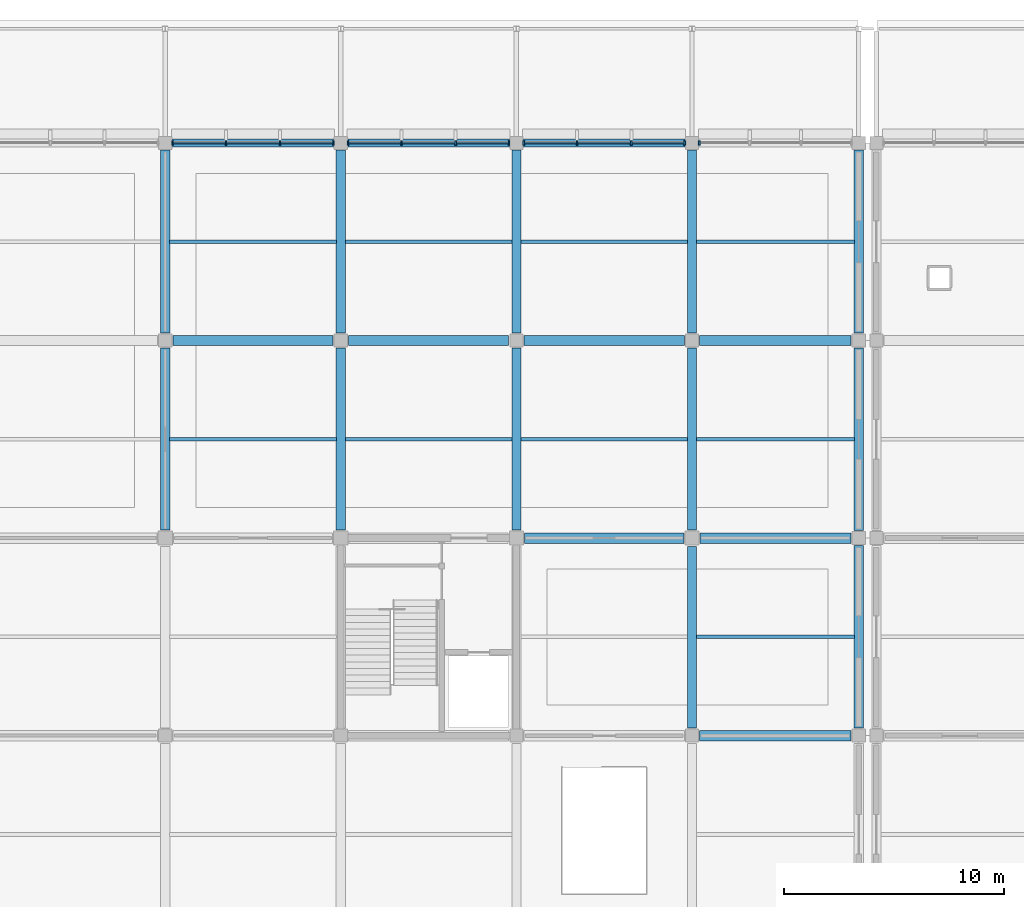
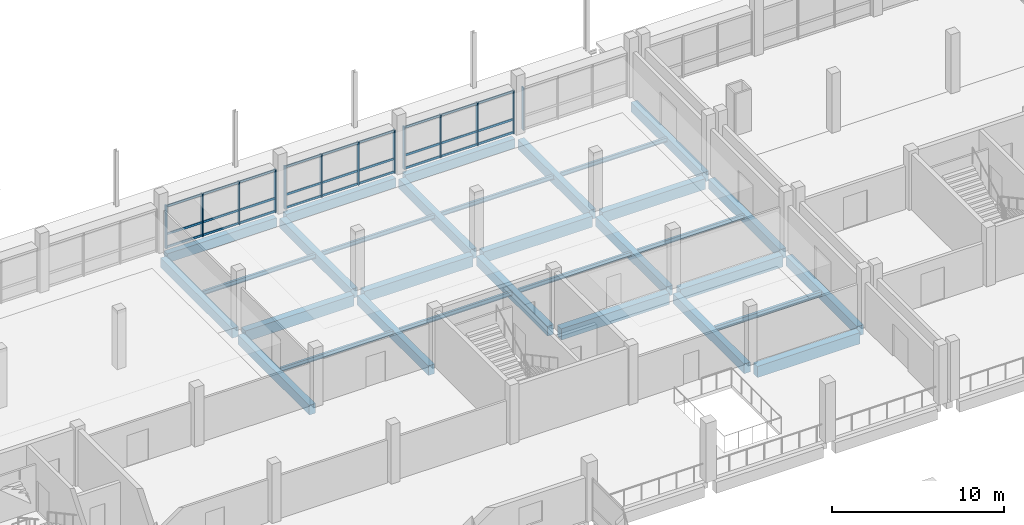
# One storey, part 22 of 57: 40 members, 31 beams, 4 elements without a shape of their own.
"""IFC4 building model written with IfcOpenShell, lengths in metres."""

from ifc_helpers import new_model, si_unit, direction, frame, origin, origin_2d, place, context, subcontext, project, spatial, rectangle, i_section, extrude, material, material_profile, profile_set, type_object, element, aggregate, save


model = new_model("IFC4")

# Units and contexts
model_context = context("Model", 3, precision=1e-05, world=origin(), true_north=direction((0.0, 1.0)))
body_context = subcontext(model_context, "Body", "Model", "MODEL_VIEW")
ifc_project = project(units=[si_unit("LENGTHUNIT", "METRE"), si_unit("AREAUNIT", "SQUARE_METRE"), si_unit("VOLUMEUNIT", "CUBIC_METRE"), si_unit("PLANEANGLEUNIT", "RADIAN"), si_unit("MASSUNIT", "GRAM", prefix="KILO"), si_unit("THERMODYNAMICTEMPERATUREUNIT", "KELVIN"), si_unit("POWERUNIT", "WATT")], contexts=[model_context])

# Site, building, storey
site_placement = place(None, origin())
site = spatial("IfcSite", under=ifc_project, at=site_placement, CompositionType="ELEMENT")
building_placement = place(site_placement, origin())
building = spatial("IfcBuilding", under=site, at=building_placement, Name="Kronsvod Quay Wholesale Market", CompositionType="ELEMENT")
storey_placement = place(building_placement, frame((0.0, 0.0, 4.800048828125)))
storey = spatial("IfcBuildingStorey", under=building, at=storey_placement, Name="L01", CompositionType="ELEMENT", Elevation=4.800048828125)

# Beams
ifc_material_1 = material(Name="Precast concrete C40/50", Category="concrete")
ifc_material_profile_1 = material_profile(ifc_material_1, rectangle(XDim=0.419921875, YDim=0.679931640625, at=origin_2d()), Name="PB-05")
ifc_profile_set_1 = profile_set([ifc_material_profile_1], Name="Precast concrete C40/50")
beam_type_1 = type_object("IfcBeamType", Name="Beam_PCB420x680", PredefinedType="BEAM", material=ifc_profile_set_1)
beam_1_placement = place(storey_placement, frame((96.0, 108.375, -0.64013671875), z_axis=(0.0, 1.0, 0.0), x_axis=(-1.0, 0.0, 0.0)))
element("IfcBeam", 1, at=beam_1_placement, inside=storey, type_object=beam_type_1, Name="BMY-L01-960-1080", PredefinedType="BEAM", context=body_context, shape_type="SweptSolid", body=[
    extrude(rectangle(XDim=0.419921875, YDim=0.679931640625, at=origin_2d()), origin(), (0.0, 0.0, 1.0), 8.27490234375),
])
beam_2_placement = place(storey_placement, frame((96.0, 117.35009765625, -0.64013671875), z_axis=(0.0, 1.0, 0.0), x_axis=(-1.0, 0.0, 0.0)))
element("IfcBeam", 2, at=beam_2_placement, inside=storey, type_object=beam_type_1, Name="BMY-L01-960-1170", PredefinedType="BEAM", context=body_context, shape_type="SweptSolid", body=[
    extrude(rectangle(XDim=0.419921875, YDim=0.679931640625, at=origin_2d()), origin(), (0.0, 0.0, 1.0), 8.324951171875),
])
beam_3_placement = place(storey_placement, frame((104.0, 108.375, -0.64013671875), z_axis=(0.0, 1.0, 0.0), x_axis=(-1.0, 0.0, 0.0)))
element("IfcBeam", 3, at=beam_3_placement, inside=storey, type_object=beam_type_1, Name="BMY-L01-1040-1080", PredefinedType="BEAM", context=body_context, shape_type="SweptSolid", body=[
    extrude(rectangle(XDim=0.419921875, YDim=0.679931640625, at=origin_2d()), origin(), (0.0, 0.0, 1.0), 8.27490234375),
])
beam_4_placement = place(storey_placement, frame((104.0, 117.35009765625, -0.64013671875), z_axis=(0.0, 1.0, 0.0), x_axis=(-1.0, 0.0, 0.0)))
element("IfcBeam", 4, at=beam_4_placement, inside=storey, type_object=beam_type_1, Name="BMY-L01-1040-1170", PredefinedType="BEAM", context=body_context, shape_type="SweptSolid", body=[
    extrude(rectangle(XDim=0.419921875, YDim=0.679931640625, at=origin_2d()), origin(), (0.0, 0.0, 1.0), 8.324951171875),
])
beam_5_placement = place(storey_placement, frame((112.0, 108.375, -0.64013671875), z_axis=(0.0, 1.0, 0.0), x_axis=(-1.0, 0.0, 0.0)))
element("IfcBeam", 5, at=beam_5_placement, inside=storey, type_object=beam_type_1, Name="BMY-L01-1120-1080", PredefinedType="BEAM", context=body_context, shape_type="SweptSolid", body=[
    extrude(rectangle(XDim=0.419921875, YDim=0.679931640625, at=origin_2d()), origin(), (0.0, 0.0, 1.0), 8.27490234375),
])
beam_6_placement = place(storey_placement, frame((112.0, 117.35009765625, -0.64013671875), z_axis=(0.0, 1.0, 0.0), x_axis=(-1.0, 0.0, 0.0)))
element("IfcBeam", 6, at=beam_6_placement, inside=storey, type_object=beam_type_1, Name="BMY-L01-1120-1170", PredefinedType="BEAM", context=body_context, shape_type="SweptSolid", body=[
    extrude(rectangle(XDim=0.419921875, YDim=0.679931640625, at=origin_2d()), origin(), (0.0, 0.0, 1.0), 8.324951171875),
])
for number, where, z_axis, x_axis, name in (
    (7, (120.0, 99.35009765625, -0.64013671875), (0.0, 1.0, 0.0), (-1.0, 0.0, 0.0), "BMY-L01-1200-990"),
    (8, (120.0, 108.375, -0.64013671875), (0.0, 1.0, 0.0), (-1.0, 0.0, 0.0), "BMY-L01-1200-1080"),
):
    element("IfcBeam", number, at=place(storey_placement, frame(where, z_axis=z_axis, x_axis=x_axis)), inside=storey, type_object=beam_type_1, Name=name, PredefinedType="BEAM", context=body_context, shape_type="SweptSolid", body=[
        extrude(rectangle(XDim=0.419921875, YDim=0.679931640625, at=origin_2d()), origin(), (0.0, 0.0, 1.0), 8.27490234375),
    ])
beam_7_placement = place(storey_placement, frame((120.0, 117.35009765625, -0.64013671875), z_axis=(0.0, 1.0, 0.0), x_axis=(-1.0, 0.0, 0.0)))
element("IfcBeam", 9, at=beam_7_placement, inside=storey, type_object=beam_type_1, Name="BMY-L01-1200-1170", PredefinedType="BEAM", context=body_context, shape_type="SweptSolid", body=[
    extrude(rectangle(XDim=0.419921875, YDim=0.679931640625, at=origin_2d()), origin(), (0.0, 0.0, 1.0), 8.324951171875),
])
for number, where, z_axis, x_axis, name in (
    (10, (127.60009765625, 99.35009765625, -0.64013671875), (0.0, 1.0, 0.0), (-1.0, 0.0, 0.0), "BMY-L01-1276-990"),
    (11, (127.60009765625, 108.35009765625, -0.64013671875), (0.0, 1.0, 0.0), (-1.0, 0.0, 0.0), "BMY-L01-1276-1080"),
):
    element("IfcBeam", number, at=place(storey_placement, frame(where, z_axis=z_axis, x_axis=x_axis)), inside=storey, type_object=beam_type_1, Name=name, PredefinedType="BEAM", context=body_context, shape_type="SweptSolid", body=[
        extrude(rectangle(XDim=0.419921875, YDim=0.679931640625, at=origin_2d()), origin(), (0.0, 0.0, 1.0), 8.2998046875),
    ])
beam_8_placement = place(storey_placement, frame((127.60009765625, 117.35009765625, -0.64013671875), z_axis=(0.0, 1.0, 0.0), x_axis=(-1.0, 0.0, 0.0)))
element("IfcBeam", 12, at=beam_8_placement, inside=storey, type_object=beam_type_1, Name="BMY-L01-1276-1170", PredefinedType="BEAM", context=body_context, shape_type="SweptSolid", body=[
    extrude(rectangle(XDim=0.419921875, YDim=0.679931640625, at=origin_2d()), origin(), (0.0, 0.0, 1.0), 8.324951171875),
])
ifc_material_2 = material(Name="Precast concrete C40/50", Category="concrete")
ifc_material_profile_2 = material_profile(ifc_material_2, rectangle(XDim=0.449951171875, YDim=0.75, at=origin_2d()), Name="PCB450x750")
ifc_profile_set_2 = profile_set([ifc_material_profile_2], Name="Precast concrete C40/50")
beam_type_2 = type_object("IfcBeamType", Name="Beam_PCB450x750", PredefinedType="BEAM", material=ifc_profile_set_2)
beam_9_placement = place(storey_placement, frame((120.35009765625, 117.0, -0.675048828125), z_axis=(1.0, 0.0, 0.0), x_axis=(0.0, 1.0, 0.0)))
element("IfcBeam", 13, at=beam_9_placement, inside=storey, type_object=beam_type_2, Name="BMX-L01-1200-1170", PredefinedType="BEAM", context=body_context, shape_type="SweptSolid", body=[
    extrude(rectangle(XDim=0.449951171875, YDim=0.75, at=origin_2d()), origin(), (0.0, 0.0, 1.0), 6.89990234375),
])
ifc_material_3 = material(Name="Precast concrete C40/50", Category="concrete")
ifc_material_profile_3 = material_profile(ifc_material_3, rectangle(XDim=0.4599609375, YDim=0.780029296875, at=origin_2d()), Name="PB-03")
ifc_profile_set_3 = profile_set([ifc_material_profile_3], Name="Precast concrete C40/50")
beam_type_3 = type_object("IfcBeamType", Name="Beam_PCB460x780", PredefinedType="BEAM", material=ifc_profile_set_3)
for number, where, z_axis, x_axis, name in (
    (14, (96.35009765625, 117.0, -0.68994140625), (1.0, 0.0, 0.0), (0.0, 1.0, 0.0), "BMX-L01-960-1170"),
    (15, (104.35009765625, 117.0, -0.68994140625), (1.0, 0.0, 0.0), (0.0, 1.0, 0.0), "BMX-L01-1040-1170"),
    (16, (112.35009765625, 117.0, -0.68994140625), (1.0, 0.0, 0.0), (0.0, 1.0, 0.0), "BMX-L01-1120-1170"),
):
    element("IfcBeam", number, at=place(storey_placement, frame(where, z_axis=z_axis, x_axis=x_axis)), inside=storey, type_object=beam_type_3, Name=name, PredefinedType="BEAM", context=body_context, shape_type="SweptSolid", body=[
        extrude(rectangle(XDim=0.4599609375, YDim=0.780029296875, at=origin_2d()), origin(), (0.0, 0.0, 1.0), 7.2998046875),
    ])
ifc_material_4 = material(Name="Precast concrete C40/50", Category="concrete")
ifc_material_profile_4 = material_profile(ifc_material_4, rectangle(XDim=0.47998046875, YDim=0.800048828125, at=origin_2d()), Name="PB-04")
ifc_profile_set_4 = profile_set([ifc_material_profile_4], Name="Precast concrete C40/50")
beam_type_4 = type_object("IfcBeamType", Name="Beam_PCB480x800", PredefinedType="BEAM", material=ifc_profile_set_4)
beam_10_placement = place(storey_placement, frame((120.35009765625, 99.0, -0.699951171875), z_axis=(1.0, 0.0, 0.0), x_axis=(0.0, 1.0, 0.0)))
element("IfcBeam", 17, at=beam_10_placement, inside=storey, type_object=beam_type_4, Name="BMX-L01-1200-990", PredefinedType="BEAM", context=body_context, shape_type="SweptSolid", body=[
    extrude(rectangle(XDim=0.47998046875, YDim=0.800048828125, at=origin_2d()), origin(), (0.0, 0.0, 1.0), 6.89990234375),
])
beam_11_placement = place(storey_placement, frame((112.375, 108.0, -0.699951171875), z_axis=(1.0, 0.0, 0.0), x_axis=(0.0, 1.0, 0.0)))
element("IfcBeam", 18, at=beam_11_placement, inside=storey, type_object=beam_type_4, Name="BMX-L01-1120-1080", PredefinedType="BEAM", context=body_context, shape_type="SweptSolid", body=[
    extrude(rectangle(XDim=0.47998046875, YDim=0.800048828125, at=origin_2d()), origin(), (0.0, 0.0, 1.0), 7.25),
])
beam_12_placement = place(storey_placement, frame((120.375, 108.0, -0.699951171875), z_axis=(1.0, 0.0, 0.0), x_axis=(0.0, 1.0, 0.0)))
element("IfcBeam", 19, at=beam_12_placement, inside=storey, type_object=beam_type_4, Name="BMX-L01-1200-1080", PredefinedType="BEAM", context=body_context, shape_type="SweptSolid", body=[
    extrude(rectangle(XDim=0.47998046875, YDim=0.800048828125, at=origin_2d()), origin(), (0.0, 0.0, 1.0), 6.875),
])
ifc_material_5 = material(Name="Steel S355", Category="steel")
ifc_material_profile_5 = material_profile(ifc_material_5, i_section(OverallWidth=0.14892578125, OverallDepth=0.298095703125, WebThickness=0.005615234375, FlangeThickness=0.008056640625, FilletRadius=0.012939453125, at=origin_2d()), Name="30B1")
ifc_profile_set_5 = profile_set([ifc_material_profile_5], Name="Steel S355")
beam_type_5 = type_object("IfcBeamType", Name="Joist_Steel30B1", PredefinedType="JOIST", material=ifc_profile_set_5)
for number, where, z_axis, x_axis, name in (
    (20, (96.205078125, 112.5, -0.399169921875), (1.0, 0.0, 0.0), (0.0, 1.0, 0.0), "JSTX-L01-960-1080"),
    (21, (96.205078125, 121.5, -0.399169921875), (1.0, 0.0, 0.0), (0.0, 1.0, 0.0), "JSTX-L01-960-1170"),
    (22, (104.205078125, 112.5, -0.399169921875), (1.0, 0.0, 0.0), (0.0, 1.0, 0.0), "JSTX-L01-1040-1080"),
    (23, (104.205078125, 121.5, -0.399169921875), (1.0, 0.0, 0.0), (0.0, 1.0, 0.0), "JSTX-L01-1040-1170"),
    (24, (112.205078125, 112.5, -0.399169921875), (1.0, 0.0, 0.0), (0.0, 1.0, 0.0), "JSTX-L01-1120-1080"),
    (25, (112.205078125, 121.5, -0.399169921875), (1.0, 0.0, 0.0), (0.0, 1.0, 0.0), "JSTX-L01-1120-1170"),
):
    element("IfcBeam", number, at=place(storey_placement, frame(where, z_axis=z_axis, x_axis=x_axis)), inside=storey, type_object=beam_type_5, Name=name, PredefinedType="JOIST", context=body_context, shape_type="SweptSolid", body=[
        extrude(i_section(OverallWidth=0.14892578125, OverallDepth=0.298095703125, WebThickness=0.005615234375, FlangeThickness=0.008056640625, FilletRadius=0.012939453125, at=origin_2d()), origin(), (0.0, 0.0, 1.0), 7.58984375),
    ])
for number, where, z_axis, x_axis, name in (
    (26, (120.205078125, 112.5, -0.399169921875), (1.0, 0.0, 0.0), (0.0, 1.0, 0.0), "JSTX-L01-1200-1080"),
    (27, (120.205078125, 121.5, -0.399169921875), (1.0, 0.0, 0.0), (0.0, 1.0, 0.0), "JSTX-L01-1200-1170"),
):
    element("IfcBeam", number, at=place(storey_placement, frame(where, z_axis=z_axis, x_axis=x_axis)), inside=storey, type_object=beam_type_5, Name=name, PredefinedType="JOIST", context=body_context, shape_type="SweptSolid", body=[
        extrude(i_section(OverallWidth=0.14892578125, OverallDepth=0.298095703125, WebThickness=0.005615234375, FlangeThickness=0.008056640625, FilletRadius=0.012939453125, at=origin_2d()), origin(), (0.0, 0.0, 1.0), 7.18994140625),
    ])
ifc_material_6 = material(Name="Steel S355", Category="steel")
ifc_material_profile_6 = material_profile(ifc_material_6, i_section(OverallWidth=0.175048828125, OverallDepth=0.35009765625, WebThickness=0.007080078125, FlangeThickness=0.010986328125, FilletRadius=0.013916015625, at=origin_2d()), Name="35B2")
ifc_profile_set_6 = profile_set([ifc_material_profile_6], Name="Steel S355")
beam_type_6 = type_object("IfcBeamType", Name="Joist_Steel35B2", PredefinedType="JOIST", material=ifc_profile_set_6)
beam_13_placement = place(storey_placement, frame((120.205078125, 103.5, -0.425048828125), z_axis=(1.0, 0.0, 0.0), x_axis=(0.0, 1.0, 0.0)))
element("IfcBeam", 28, at=beam_13_placement, inside=storey, type_object=beam_type_6, Name="JSTX-L01-1200-990", PredefinedType="JOIST", context=body_context, shape_type="SweptSolid", body=[
    extrude(i_section(OverallWidth=0.175048828125, OverallDepth=0.35009765625, WebThickness=0.007080078125, FlangeThickness=0.010986328125, FilletRadius=0.013916015625, at=origin_2d()), origin(), (0.0, 0.0, 1.0), 7.18994140625),
])

# Curtain wall, members
ifc_material_7 = material(Name="Thermally broken aluminium and triple low-E glazing", Category="aluminium")
curtain_wall_type_1 = type_object("IfcCurtainWallType", Name="CW_Harbour80x33", PredefinedType="NOTDEFINED", material=ifc_material_7)
curtain_wall_1_placement = place(storey_placement, origin())
curtain_wall_1 = element("IfcCurtainWall", 29, at=curtain_wall_1_placement, inside=storey, type_object=curtain_wall_type_1, Name="CWGX-L01-960-1260", PredefinedType="NOTDEFINED")
ifc_material_8 = material(Name="Anodised aluminium", Category="aluminium")
ifc_material_profile_7 = material_profile(ifc_material_8, rectangle(XDim=0.074951171875, YDim=0.199951171875, at=origin_2d()), Name="ALUM75x200")
ifc_profile_set_7 = profile_set([ifc_material_profile_7], Name="Anodised aluminium")
member_type_1 = type_object("IfcMemberType", Name="Mullion_ALU75x200", PredefinedType="MULLION", material=ifc_profile_set_7)
member_1_placement = place(storey_placement, frame((103.66748046875, 126.0, 0.0), z_axis=(0.0, 0.0, 1.0), x_axis=(1.0, 0.0, 0.0)))
member_1 = element("IfcMember", 30, at=member_1_placement, type_object=member_type_1, Name="CWGX-L01-960-1260-M1", PredefinedType="MULLION", context=body_context, shape_type="SweptSolid", body=[
    extrude(rectangle(XDim=0.074951171875, YDim=0.199951171875, at=origin_2d()), origin(), (0.0, 0.0, 1.0), 3.050048828125),
])
member_2_placement = place(storey_placement, frame((101.235107421875, 126.0, 0.0), z_axis=(0.0, 0.0, 1.0), x_axis=(1.0, 0.0, 0.0)))
member_2 = element("IfcMember", 31, at=member_2_placement, type_object=member_type_1, Name="CWGX-L01-960-1260-M2", PredefinedType="MULLION", context=body_context, shape_type="SweptSolid", body=[
    extrude(rectangle(XDim=0.074951171875, YDim=0.199951171875, at=origin_2d()), origin(), (0.0, 0.0, 1.0), 3.050048828125),
])
member_3_placement = place(storey_placement, frame((98.764892578125, 126.0, 0.0), z_axis=(0.0, 0.0, 1.0), x_axis=(1.0, 0.0, 0.0)))
member_3 = element("IfcMember", 32, at=member_3_placement, type_object=member_type_1, Name="CWGX-L01-960-1260-M3", PredefinedType="MULLION", context=body_context, shape_type="SweptSolid", body=[
    extrude(rectangle(XDim=0.074951171875, YDim=0.199951171875, at=origin_2d()), origin(), (0.0, 0.0, 1.0), 3.050048828125),
])
member_4_placement = place(storey_placement, frame((96.33251953125, 126.0, 0.0), z_axis=(0.0, 0.0, 1.0), x_axis=(1.0, 0.0, 0.0)))
member_4 = element("IfcMember", 33, at=member_4_placement, type_object=member_type_1, Name="CWGX-L01-960-1260-M4", PredefinedType="MULLION", context=body_context, shape_type="SweptSolid", body=[
    extrude(rectangle(XDim=0.074951171875, YDim=0.199951171875, at=origin_2d()), origin(), (0.0, 0.0, 1.0), 3.050048828125),
])

curtain_wall_2_placement = place(storey_placement, origin())
curtain_wall_2 = element("IfcCurtainWall", 34, at=curtain_wall_2_placement, inside=storey, type_object=curtain_wall_type_1, Name="CWGX-L01-1040-1260", PredefinedType="NOTDEFINED")
member_5_placement = place(storey_placement, frame((111.66748046875, 126.0, 0.0), z_axis=(0.0, 0.0, 1.0), x_axis=(1.0, 0.0, 0.0)))
member_5 = element("IfcMember", 35, at=member_5_placement, type_object=member_type_1, Name="CWGX-L01-1040-1260-M1", PredefinedType="MULLION", context=body_context, shape_type="SweptSolid", body=[
    extrude(rectangle(XDim=0.074951171875, YDim=0.199951171875, at=origin_2d()), origin(), (0.0, 0.0, 1.0), 3.050048828125),
])
member_6_placement = place(storey_placement, frame((109.235107421875, 126.0, 0.0), z_axis=(0.0, 0.0, 1.0), x_axis=(1.0, 0.0, 0.0)))
member_6 = element("IfcMember", 36, at=member_6_placement, type_object=member_type_1, Name="CWGX-L01-1040-1260-M2", PredefinedType="MULLION", context=body_context, shape_type="SweptSolid", body=[
    extrude(rectangle(XDim=0.074951171875, YDim=0.199951171875, at=origin_2d()), origin(), (0.0, 0.0, 1.0), 3.050048828125),
])
member_7_placement = place(storey_placement, frame((106.764892578125, 126.0, 0.0), z_axis=(0.0, 0.0, 1.0), x_axis=(1.0, 0.0, 0.0)))
member_7 = element("IfcMember", 37, at=member_7_placement, type_object=member_type_1, Name="CWGX-L01-1040-1260-M3", PredefinedType="MULLION", context=body_context, shape_type="SweptSolid", body=[
    extrude(rectangle(XDim=0.074951171875, YDim=0.199951171875, at=origin_2d()), origin(), (0.0, 0.0, 1.0), 3.050048828125),
])
member_8_placement = place(storey_placement, frame((104.33251953125, 126.0, 0.0), z_axis=(0.0, 0.0, 1.0), x_axis=(1.0, 0.0, 0.0)))
member_8 = element("IfcMember", 38, at=member_8_placement, type_object=member_type_1, Name="CWGX-L01-1040-1260-M4", PredefinedType="MULLION", context=body_context, shape_type="SweptSolid", body=[
    extrude(rectangle(XDim=0.074951171875, YDim=0.199951171875, at=origin_2d()), origin(), (0.0, 0.0, 1.0), 3.050048828125),
])

curtain_wall_3_placement = place(storey_placement, origin())
curtain_wall_3 = element("IfcCurtainWall", 39, at=curtain_wall_3_placement, inside=storey, type_object=curtain_wall_type_1, Name="CWGX-L01-1120-1260", PredefinedType="NOTDEFINED")
member_9_placement = place(storey_placement, frame((119.66748046875, 126.0, 0.0), z_axis=(0.0, 0.0, 1.0), x_axis=(1.0, 0.0, 0.0)))
member_9 = element("IfcMember", 40, at=member_9_placement, type_object=member_type_1, Name="CWGX-L01-1120-1260-M1", PredefinedType="MULLION", context=body_context, shape_type="SweptSolid", body=[
    extrude(rectangle(XDim=0.074951171875, YDim=0.199951171875, at=origin_2d()), origin(), (0.0, 0.0, 1.0), 3.050048828125),
])
member_10_placement = place(storey_placement, frame((117.235107421875, 126.0, 0.0), z_axis=(0.0, 0.0, 1.0), x_axis=(1.0, 0.0, 0.0)))
member_10 = element("IfcMember", 41, at=member_10_placement, type_object=member_type_1, Name="CWGX-L01-1120-1260-M2", PredefinedType="MULLION", context=body_context, shape_type="SweptSolid", body=[
    extrude(rectangle(XDim=0.074951171875, YDim=0.199951171875, at=origin_2d()), origin(), (0.0, 0.0, 1.0), 3.050048828125),
])
member_11_placement = place(storey_placement, frame((114.764892578125, 126.0, 0.0), z_axis=(0.0, 0.0, 1.0), x_axis=(1.0, 0.0, 0.0)))
member_11 = element("IfcMember", 42, at=member_11_placement, type_object=member_type_1, Name="CWGX-L01-1120-1260-M3", PredefinedType="MULLION", context=body_context, shape_type="SweptSolid", body=[
    extrude(rectangle(XDim=0.074951171875, YDim=0.199951171875, at=origin_2d()), origin(), (0.0, 0.0, 1.0), 3.050048828125),
])
member_12_placement = place(storey_placement, frame((112.33251953125, 126.0, 0.0), z_axis=(0.0, 0.0, 1.0), x_axis=(1.0, 0.0, 0.0)))
member_12 = element("IfcMember", 43, at=member_12_placement, type_object=member_type_1, Name="CWGX-L01-1120-1260-M4", PredefinedType="MULLION", context=body_context, shape_type="SweptSolid", body=[
    extrude(rectangle(XDim=0.074951171875, YDim=0.199951171875, at=origin_2d()), origin(), (0.0, 0.0, 1.0), 3.050048828125),
])

# Curtain wall, member
ifc_material_9 = material(Name="Thermally broken aluminium and triple low-E glazing", Category="aluminium")
curtain_wall_type_2 = type_object("IfcCurtainWallType", Name="CW_Harbour76x33", PredefinedType="NOTDEFINED", material=ifc_material_9)
curtain_wall_4_placement = place(storey_placement, origin())
curtain_wall_4 = element("IfcCurtainWall", 44, at=curtain_wall_4_placement, inside=storey, type_object=curtain_wall_type_2, Name="CWGX-L01-1200-1260", PredefinedType="NOTDEFINED")
member_13_placement = place(storey_placement, frame((120.33251953125, 126.0, 0.0), z_axis=(0.0, 0.0, 1.0), x_axis=(1.0, 0.0, 0.0)))
member_13 = element("IfcMember", 45, at=member_13_placement, type_object=member_type_1, Name="CWGX-L01-1200-1260-M4", PredefinedType="MULLION", context=body_context, shape_type="SweptSolid", body=[
    extrude(rectangle(XDim=0.074951171875, YDim=0.199951171875, at=origin_2d()), origin(), (0.0, 0.0, 1.0), 3.050048828125),
])
aggregate(curtain_wall_4, [member_13])

# Beams
ifc_material_10 = material(Name="Precast concrete C40/50", Category="concrete")
ifc_material_profile_8 = material_profile(ifc_material_10, rectangle(XDim=0.3798828125, YDim=0.64990234375, at=origin_2d()), Name="SPB-03")
ifc_profile_set_8 = profile_set([ifc_material_profile_8], Name="Precast concrete C40/50")
beam_type_7 = type_object("IfcBeamType", Name="Spandrel_PCSP380x650", PredefinedType="SPANDREL", material=ifc_profile_set_8)
for number, where, z_axis, x_axis, name in (
    (46, (96.324951171875, 126.0, -0.625), (1.0, 0.0, 0.0), (0.0, 1.0, 0.0), "BMX-L01-960-1260"),
    (47, (104.324951171875, 126.0, -0.625), (1.0, 0.0, 0.0), (0.0, 1.0, 0.0), "BMX-L01-1040-1260"),
    (48, (112.324951171875, 126.0, -0.625), (1.0, 0.0, 0.0), (0.0, 1.0, 0.0), "BMX-L01-1120-1260"),
):
    element("IfcBeam", number, at=place(storey_placement, frame(where, z_axis=z_axis, x_axis=x_axis)), inside=storey, type_object=beam_type_7, Name=name, PredefinedType="SPANDREL", context=body_context, shape_type="SweptSolid", body=[
        extrude(rectangle(XDim=0.3798828125, YDim=0.64990234375, at=origin_2d()), origin(), (0.0, 0.0, 1.0), 7.35009765625),
    ])

# Member
ifc_material_11 = material(Name="Anodised aluminium", Category="aluminium")
ifc_material_profile_9 = material_profile(ifc_material_11, rectangle(XDim=0.074951171875, YDim=0.14990234375, at=origin_2d()), Name="ALUT75x150")
ifc_profile_set_9 = profile_set([ifc_material_profile_9], Name="Anodised aluminium")
member_type_2 = type_object("IfcMemberType", Name="Transom_ALU75x150", PredefinedType="USERDEFINED", material=ifc_profile_set_9)
member_14_placement = place(storey_placement, frame((103.6298828125, 126.0, 0.074951171875), z_axis=(-1.0, 0.0, 0.0), x_axis=(0.0, -1.0, 0.0)))
member_14 = element("IfcMember", 49, at=member_14_placement, type_object=member_type_2, Name="CWGX-L01-960-1260-T1B1", ObjectType="TRANSOM", PredefinedType="USERDEFINED", context=body_context, shape_type="SweptSolid", body=[
    extrude(rectangle(XDim=0.074951171875, YDim=0.14990234375, at=origin_2d()), origin(), (0.0, 0.0, 1.0), 2.357421875),
])

member_15_placement = place(storey_placement, frame((101.197509765625, 126.0, 0.074951171875), z_axis=(-1.0, 0.0, 0.0), x_axis=(0.0, -1.0, 0.0)))
member_15 = element("IfcMember", 50, at=member_15_placement, type_object=member_type_2, Name="CWGX-L01-960-1260-T1B2", ObjectType="TRANSOM", PredefinedType="USERDEFINED", context=body_context, shape_type="SweptSolid", body=[
    extrude(rectangle(XDim=0.074951171875, YDim=0.14990234375, at=origin_2d()), origin(), (0.0, 0.0, 1.0), 2.39501953125),
])

member_16_placement = place(storey_placement, frame((98.7275390625, 126.0, 0.074951171875), z_axis=(-1.0, 0.0, 0.0), x_axis=(0.0, -1.0, 0.0)))
member_16 = element("IfcMember", 51, at=member_16_placement, type_object=member_type_2, Name="CWGX-L01-960-1260-T1B3", ObjectType="TRANSOM", PredefinedType="USERDEFINED", context=body_context, shape_type="SweptSolid", body=[
    extrude(rectangle(XDim=0.074951171875, YDim=0.14990234375, at=origin_2d()), origin(), (0.0, 0.0, 1.0), 2.357421875),
])

member_17_placement = place(storey_placement, frame((103.6298828125, 126.0, 1.0), z_axis=(-1.0, 0.0, 0.0), x_axis=(0.0, -1.0, 0.0)))
member_17 = element("IfcMember", 52, at=member_17_placement, type_object=member_type_2, Name="CWGX-L01-960-1260-T2B1", ObjectType="TRANSOM", PredefinedType="USERDEFINED", context=body_context, shape_type="SweptSolid", body=[
    extrude(rectangle(XDim=0.074951171875, YDim=0.14990234375, at=origin_2d()), origin(), (0.0, 0.0, 1.0), 2.357421875),
])

member_18_placement = place(storey_placement, frame((101.197509765625, 126.0, 1.0), z_axis=(-1.0, 0.0, 0.0), x_axis=(0.0, -1.0, 0.0)))
member_18 = element("IfcMember", 53, at=member_18_placement, type_object=member_type_2, Name="CWGX-L01-960-1260-T2B2", ObjectType="TRANSOM", PredefinedType="USERDEFINED", context=body_context, shape_type="SweptSolid", body=[
    extrude(rectangle(XDim=0.074951171875, YDim=0.14990234375, at=origin_2d()), origin(), (0.0, 0.0, 1.0), 2.39501953125),
])

member_19_placement = place(storey_placement, frame((98.7275390625, 126.0, 1.0), z_axis=(-1.0, 0.0, 0.0), x_axis=(0.0, -1.0, 0.0)))
member_19 = element("IfcMember", 54, at=member_19_placement, type_object=member_type_2, Name="CWGX-L01-960-1260-T2B3", ObjectType="TRANSOM", PredefinedType="USERDEFINED", context=body_context, shape_type="SweptSolid", body=[
    extrude(rectangle(XDim=0.074951171875, YDim=0.14990234375, at=origin_2d()), origin(), (0.0, 0.0, 1.0), 2.357421875),
])

member_20_placement = place(storey_placement, frame((103.6298828125, 126.0, 2.974853515625), z_axis=(-1.0, 0.0, 0.0), x_axis=(0.0, -1.0, 0.0)))
member_20 = element("IfcMember", 55, at=member_20_placement, type_object=member_type_2, Name="CWGX-L01-960-1260-T3B1", ObjectType="TRANSOM", PredefinedType="USERDEFINED", context=body_context, shape_type="SweptSolid", body=[
    extrude(rectangle(XDim=0.074951171875, YDim=0.14990234375, at=origin_2d()), origin(), (0.0, 0.0, 1.0), 2.357421875),
])

member_21_placement = place(storey_placement, frame((101.197509765625, 126.0, 2.974853515625), z_axis=(-1.0, 0.0, 0.0), x_axis=(0.0, -1.0, 0.0)))
member_21 = element("IfcMember", 56, at=member_21_placement, type_object=member_type_2, Name="CWGX-L01-960-1260-T3B2", ObjectType="TRANSOM", PredefinedType="USERDEFINED", context=body_context, shape_type="SweptSolid", body=[
    extrude(rectangle(XDim=0.074951171875, YDim=0.14990234375, at=origin_2d()), origin(), (0.0, 0.0, 1.0), 2.39501953125),
])

member_22_placement = place(storey_placement, frame((98.7275390625, 126.0, 2.974853515625), z_axis=(-1.0, 0.0, 0.0), x_axis=(0.0, -1.0, 0.0)))
member_22 = element("IfcMember", 57, at=member_22_placement, type_object=member_type_2, Name="CWGX-L01-960-1260-T3B3", ObjectType="TRANSOM", PredefinedType="USERDEFINED", context=body_context, shape_type="SweptSolid", body=[
    extrude(rectangle(XDim=0.074951171875, YDim=0.14990234375, at=origin_2d()), origin(), (0.0, 0.0, 1.0), 2.357421875),
])

aggregate(curtain_wall_1, [member_1, member_2, member_3, member_4, member_14, member_15, member_16, member_17, member_18, member_19, member_20, member_21, member_22])

member_23_placement = place(storey_placement, frame((111.6298828125, 126.0, 0.074951171875), z_axis=(-1.0, 0.0, 0.0), x_axis=(0.0, -1.0, 0.0)))
member_23 = element("IfcMember", 58, at=member_23_placement, type_object=member_type_2, Name="CWGX-L01-1040-1260-T1B1", ObjectType="TRANSOM", PredefinedType="USERDEFINED", context=body_context, shape_type="SweptSolid", body=[
    extrude(rectangle(XDim=0.074951171875, YDim=0.14990234375, at=origin_2d()), origin(), (0.0, 0.0, 1.0), 2.357421875),
])

member_24_placement = place(storey_placement, frame((109.197509765625, 126.0, 0.074951171875), z_axis=(-1.0, 0.0, 0.0), x_axis=(0.0, -1.0, 0.0)))
member_24 = element("IfcMember", 59, at=member_24_placement, type_object=member_type_2, Name="CWGX-L01-1040-1260-T1B2", ObjectType="TRANSOM", PredefinedType="USERDEFINED", context=body_context, shape_type="SweptSolid", body=[
    extrude(rectangle(XDim=0.074951171875, YDim=0.14990234375, at=origin_2d()), origin(), (0.0, 0.0, 1.0), 2.39501953125),
])

member_25_placement = place(storey_placement, frame((106.7275390625, 126.0, 0.074951171875), z_axis=(-1.0, 0.0, 0.0), x_axis=(0.0, -1.0, 0.0)))
member_25 = element("IfcMember", 60, at=member_25_placement, type_object=member_type_2, Name="CWGX-L01-1040-1260-T1B3", ObjectType="TRANSOM", PredefinedType="USERDEFINED", context=body_context, shape_type="SweptSolid", body=[
    extrude(rectangle(XDim=0.074951171875, YDim=0.14990234375, at=origin_2d()), origin(), (0.0, 0.0, 1.0), 2.357421875),
])

member_26_placement = place(storey_placement, frame((111.6298828125, 126.0, 1.0), z_axis=(-1.0, 0.0, 0.0), x_axis=(0.0, -1.0, 0.0)))
member_26 = element("IfcMember", 61, at=member_26_placement, type_object=member_type_2, Name="CWGX-L01-1040-1260-T2B1", ObjectType="TRANSOM", PredefinedType="USERDEFINED", context=body_context, shape_type="SweptSolid", body=[
    extrude(rectangle(XDim=0.074951171875, YDim=0.14990234375, at=origin_2d()), origin(), (0.0, 0.0, 1.0), 2.357421875),
])

member_27_placement = place(storey_placement, frame((109.197509765625, 126.0, 1.0), z_axis=(-1.0, 0.0, 0.0), x_axis=(0.0, -1.0, 0.0)))
member_27 = element("IfcMember", 62, at=member_27_placement, type_object=member_type_2, Name="CWGX-L01-1040-1260-T2B2", ObjectType="TRANSOM", PredefinedType="USERDEFINED", context=body_context, shape_type="SweptSolid", body=[
    extrude(rectangle(XDim=0.074951171875, YDim=0.14990234375, at=origin_2d()), origin(), (0.0, 0.0, 1.0), 2.39501953125),
])

member_28_placement = place(storey_placement, frame((106.7275390625, 126.0, 1.0), z_axis=(-1.0, 0.0, 0.0), x_axis=(0.0, -1.0, 0.0)))
member_28 = element("IfcMember", 63, at=member_28_placement, type_object=member_type_2, Name="CWGX-L01-1040-1260-T2B3", ObjectType="TRANSOM", PredefinedType="USERDEFINED", context=body_context, shape_type="SweptSolid", body=[
    extrude(rectangle(XDim=0.074951171875, YDim=0.14990234375, at=origin_2d()), origin(), (0.0, 0.0, 1.0), 2.357421875),
])

member_29_placement = place(storey_placement, frame((111.6298828125, 126.0, 2.974853515625), z_axis=(-1.0, 0.0, 0.0), x_axis=(0.0, -1.0, 0.0)))
member_29 = element("IfcMember", 64, at=member_29_placement, type_object=member_type_2, Name="CWGX-L01-1040-1260-T3B1", ObjectType="TRANSOM", PredefinedType="USERDEFINED", context=body_context, shape_type="SweptSolid", body=[
    extrude(rectangle(XDim=0.074951171875, YDim=0.14990234375, at=origin_2d()), origin(), (0.0, 0.0, 1.0), 2.357421875),
])

member_30_placement = place(storey_placement, frame((109.197509765625, 126.0, 2.974853515625), z_axis=(-1.0, 0.0, 0.0), x_axis=(0.0, -1.0, 0.0)))
member_30 = element("IfcMember", 65, at=member_30_placement, type_object=member_type_2, Name="CWGX-L01-1040-1260-T3B2", ObjectType="TRANSOM", PredefinedType="USERDEFINED", context=body_context, shape_type="SweptSolid", body=[
    extrude(rectangle(XDim=0.074951171875, YDim=0.14990234375, at=origin_2d()), origin(), (0.0, 0.0, 1.0), 2.39501953125),
])

member_31_placement = place(storey_placement, frame((106.7275390625, 126.0, 2.974853515625), z_axis=(-1.0, 0.0, 0.0), x_axis=(0.0, -1.0, 0.0)))
member_31 = element("IfcMember", 66, at=member_31_placement, type_object=member_type_2, Name="CWGX-L01-1040-1260-T3B3", ObjectType="TRANSOM", PredefinedType="USERDEFINED", context=body_context, shape_type="SweptSolid", body=[
    extrude(rectangle(XDim=0.074951171875, YDim=0.14990234375, at=origin_2d()), origin(), (0.0, 0.0, 1.0), 2.357421875),
])

aggregate(curtain_wall_2, [member_5, member_6, member_7, member_8, member_23, member_24, member_25, member_26, member_27, member_28, member_29, member_30, member_31])

member_32_placement = place(storey_placement, frame((119.6298828125, 126.0, 0.074951171875), z_axis=(-1.0, 0.0, 0.0), x_axis=(0.0, -1.0, 0.0)))
member_32 = element("IfcMember", 67, at=member_32_placement, type_object=member_type_2, Name="CWGX-L01-1120-1260-T1B1", ObjectType="TRANSOM", PredefinedType="USERDEFINED", context=body_context, shape_type="SweptSolid", body=[
    extrude(rectangle(XDim=0.074951171875, YDim=0.14990234375, at=origin_2d()), origin(), (0.0, 0.0, 1.0), 2.357421875),
])

member_33_placement = place(storey_placement, frame((117.197509765625, 126.0, 0.074951171875), z_axis=(-1.0, 0.0, 0.0), x_axis=(0.0, -1.0, 0.0)))
member_33 = element("IfcMember", 68, at=member_33_placement, type_object=member_type_2, Name="CWGX-L01-1120-1260-T1B2", ObjectType="TRANSOM", PredefinedType="USERDEFINED", context=body_context, shape_type="SweptSolid", body=[
    extrude(rectangle(XDim=0.074951171875, YDim=0.14990234375, at=origin_2d()), origin(), (0.0, 0.0, 1.0), 2.39501953125),
])

member_34_placement = place(storey_placement, frame((114.7275390625, 126.0, 0.074951171875), z_axis=(-1.0, 0.0, 0.0), x_axis=(0.0, -1.0, 0.0)))
member_34 = element("IfcMember", 69, at=member_34_placement, type_object=member_type_2, Name="CWGX-L01-1120-1260-T1B3", ObjectType="TRANSOM", PredefinedType="USERDEFINED", context=body_context, shape_type="SweptSolid", body=[
    extrude(rectangle(XDim=0.074951171875, YDim=0.14990234375, at=origin_2d()), origin(), (0.0, 0.0, 1.0), 2.357421875),
])

member_35_placement = place(storey_placement, frame((119.6298828125, 126.0, 1.0), z_axis=(-1.0, 0.0, 0.0), x_axis=(0.0, -1.0, 0.0)))
member_35 = element("IfcMember", 70, at=member_35_placement, type_object=member_type_2, Name="CWGX-L01-1120-1260-T2B1", ObjectType="TRANSOM", PredefinedType="USERDEFINED", context=body_context, shape_type="SweptSolid", body=[
    extrude(rectangle(XDim=0.074951171875, YDim=0.14990234375, at=origin_2d()), origin(), (0.0, 0.0, 1.0), 2.357421875),
])

member_36_placement = place(storey_placement, frame((117.197509765625, 126.0, 1.0), z_axis=(-1.0, 0.0, 0.0), x_axis=(0.0, -1.0, 0.0)))
member_36 = element("IfcMember", 71, at=member_36_placement, type_object=member_type_2, Name="CWGX-L01-1120-1260-T2B2", ObjectType="TRANSOM", PredefinedType="USERDEFINED", context=body_context, shape_type="SweptSolid", body=[
    extrude(rectangle(XDim=0.074951171875, YDim=0.14990234375, at=origin_2d()), origin(), (0.0, 0.0, 1.0), 2.39501953125),
])

member_37_placement = place(storey_placement, frame((114.7275390625, 126.0, 1.0), z_axis=(-1.0, 0.0, 0.0), x_axis=(0.0, -1.0, 0.0)))
member_37 = element("IfcMember", 72, at=member_37_placement, type_object=member_type_2, Name="CWGX-L01-1120-1260-T2B3", ObjectType="TRANSOM", PredefinedType="USERDEFINED", context=body_context, shape_type="SweptSolid", body=[
    extrude(rectangle(XDim=0.074951171875, YDim=0.14990234375, at=origin_2d()), origin(), (0.0, 0.0, 1.0), 2.357421875),
])

member_38_placement = place(storey_placement, frame((119.6298828125, 126.0, 2.974853515625), z_axis=(-1.0, 0.0, 0.0), x_axis=(0.0, -1.0, 0.0)))
member_38 = element("IfcMember", 73, at=member_38_placement, type_object=member_type_2, Name="CWGX-L01-1120-1260-T3B1", ObjectType="TRANSOM", PredefinedType="USERDEFINED", context=body_context, shape_type="SweptSolid", body=[
    extrude(rectangle(XDim=0.074951171875, YDim=0.14990234375, at=origin_2d()), origin(), (0.0, 0.0, 1.0), 2.357421875),
])

member_39_placement = place(storey_placement, frame((117.197509765625, 126.0, 2.974853515625), z_axis=(-1.0, 0.0, 0.0), x_axis=(0.0, -1.0, 0.0)))
member_39 = element("IfcMember", 74, at=member_39_placement, type_object=member_type_2, Name="CWGX-L01-1120-1260-T3B2", ObjectType="TRANSOM", PredefinedType="USERDEFINED", context=body_context, shape_type="SweptSolid", body=[
    extrude(rectangle(XDim=0.074951171875, YDim=0.14990234375, at=origin_2d()), origin(), (0.0, 0.0, 1.0), 2.39501953125),
])

member_40_placement = place(storey_placement, frame((114.7275390625, 126.0, 2.974853515625), z_axis=(-1.0, 0.0, 0.0), x_axis=(0.0, -1.0, 0.0)))
member_40 = element("IfcMember", 75, at=member_40_placement, type_object=member_type_2, Name="CWGX-L01-1120-1260-T3B3", ObjectType="TRANSOM", PredefinedType="USERDEFINED", context=body_context, shape_type="SweptSolid", body=[
    extrude(rectangle(XDim=0.074951171875, YDim=0.14990234375, at=origin_2d()), origin(), (0.0, 0.0, 1.0), 2.357421875),
])

aggregate(curtain_wall_3, [member_9, member_10, member_11, member_12, member_32, member_33, member_34, member_35, member_36, member_37, member_38, member_39, member_40])

save(model, "model.ifc")
